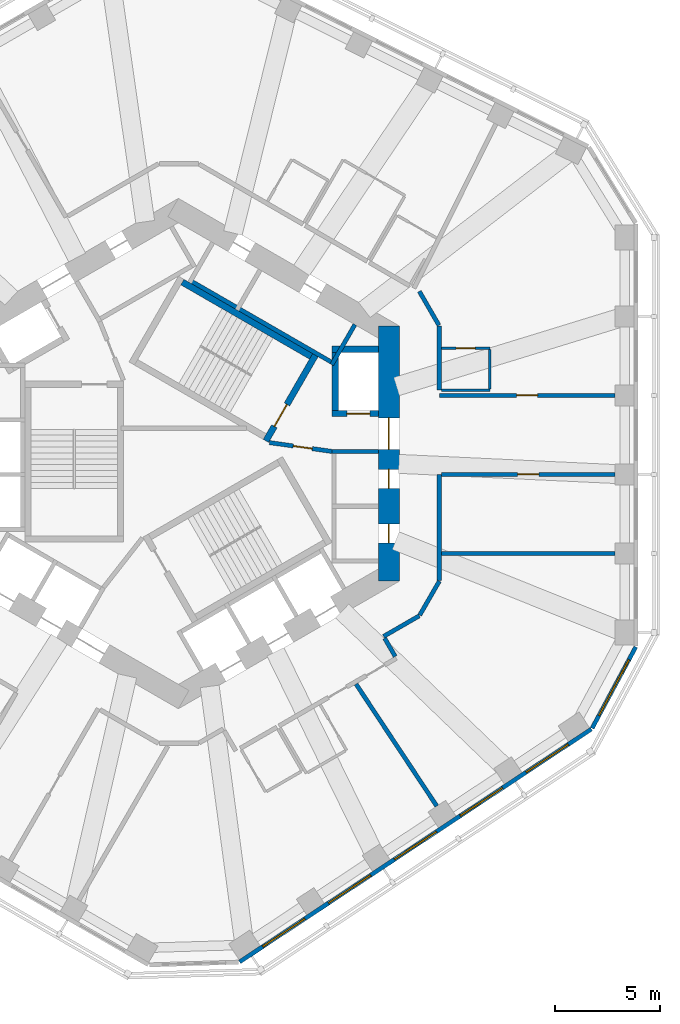
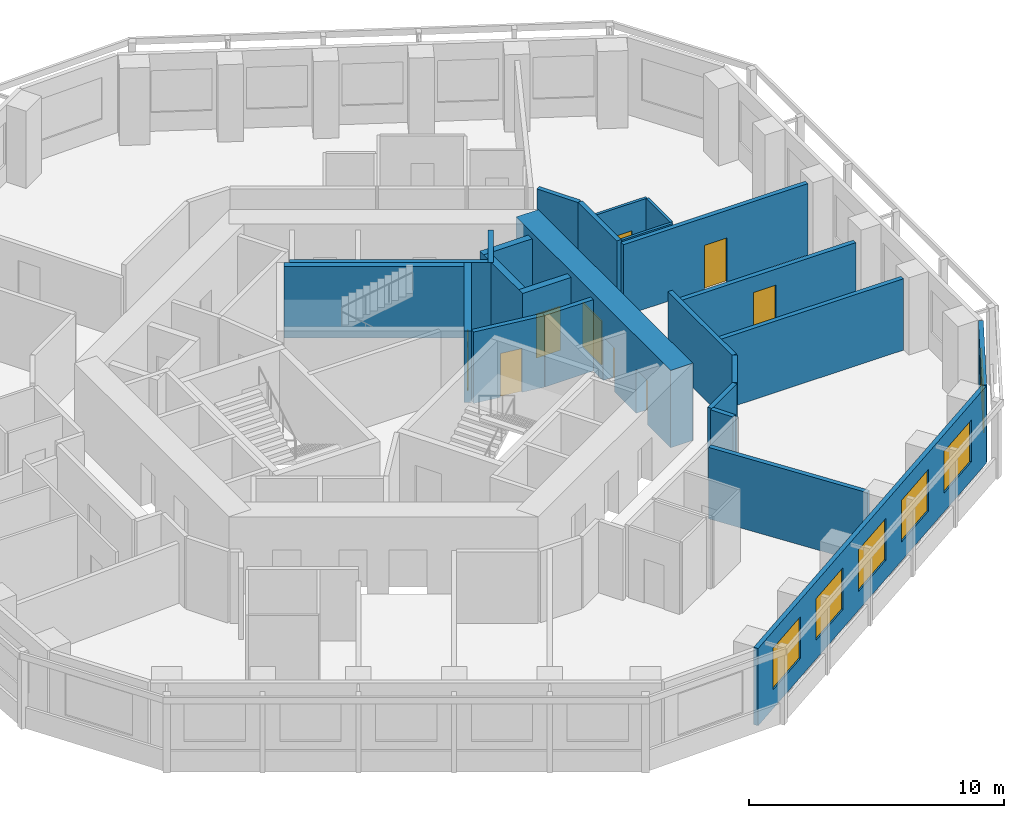
# One storey, part 6 of 11: 25 walls, 9 doors, 6 windows, 15 openings.
"""IFC4 building model written with IfcOpenShell, lengths in metres."""

from ifc_helpers import new_model, si_unit, direction, frame, frame_2d, origin, place, context, subcontext, project, spatial, rectangle, extrude, material, layer, layer_set, type_object, element, fill, save


model = new_model("IFC4")

# Units and contexts
model_context = context("Model", 3, precision=1e-05, world=origin(), true_north=direction((0.0, 1.0)))
body_context = subcontext(model_context, "Body", "Model", "MODEL_VIEW")
ifc_project = project(units=[si_unit("LENGTHUNIT", "METRE"), si_unit("AREAUNIT", "SQUARE_METRE"), si_unit("VOLUMEUNIT", "CUBIC_METRE"), si_unit("PLANEANGLEUNIT", "RADIAN"), si_unit("MASSUNIT", "GRAM", prefix="KILO")], contexts=[model_context])

# Site, building, storey
site_placement = place(None, origin())
site = spatial("IfcSite", under=ifc_project, at=site_placement, CompositionType="ELEMENT")
building_placement = place(site_placement, origin())
building = spatial("IfcBuilding", under=site, at=building_placement, Name="Vanh Sen Convention Tower", CompositionType="ELEMENT")
storey_placement = place(building_placement, frame((0.0, 0.0, 172.5)))
storey = spatial("IfcBuildingStorey", under=building, at=storey_placement, Name="L42", CompositionType="ELEMENT", Elevation=172.5)

# Wall, opening, door
ifc_material_1 = material(Name="Moisture-resistant gypsum board on steel studs", Category="steel")
ifc_layer_1 = layer(ifc_material_1, 0.1201171875)
ifc_layer_set_1 = layer_set([ifc_layer_1], Name="Moisture-resistant gypsum board on steel studs")
wall_type_1 = type_object("IfcWallType", Name="Bathroom partition 120", PredefinedType="PARTITIONING", material=ifc_layer_set_1)
wall_1_placement = place(storey_placement, frame((12.5, 5.01123046875, 0.0), z_axis=(0.0, 0.0, 1.0), x_axis=(1.0, 0.0, 0.0)))
wall_1 = element("IfcWall", 1, at=wall_1_placement, inside=storey, type_object=wall_type_1, Name="Bathroom partition 120", PredefinedType="PARTITIONING", context=body_context, shape_type="SweptSolid", body=[
    extrude(rectangle(XDim=2.300048828125, YDim=0.1201171875, at=frame_2d((1.14990234375, 0.0))), origin(), (0.0, 0.0, 1.0), 3.419921875),
])
opening_1_placement = place(wall_1_placement, frame((0.699951171875, 0.0, 0.0)))
opening_1 = element("IfcOpeningElement", 2, at=opening_1_placement, cuts=wall_1, Name="Opening D41102", PredefinedType="OPENING", context=body_context, shape_type="SweptSolid", body=[
    extrude(rectangle(XDim=0.89990234375, YDim=2.10009765625, at=frame_2d((0.449951171875, 1.050048828125))), frame((0.0, 0.070068359375, 0.0), z_axis=(0.0, -1.0, 0.0), x_axis=(1.0, 0.0, 0.0)), (0.0, 0.0, 1.0), 0.14013671875),
])
ifc_material_2 = material(Name="Laminate door in steel frame", Category="steel")
door_type_1 = type_object("IfcDoorType", Name="Room internal door 900", OperationType="SINGLE_SWING_LEFT", PredefinedType="DOOR", material=ifc_material_2)
door_1_placement = place(opening_1_placement, origin())
door_1 = element("IfcDoor", 3, at=door_1_placement, inside=storey, type_object=door_type_1, Name="Internal room door D41102", OperationType="SINGLE_SWING_LEFT", OverallHeight=2.10009765625, OverallWidth=0.89990234375, PredefinedType="DOOR", context=body_context, shape_type="SweptSolid", body=[
    extrude(rectangle(XDim=0.89990234375, YDim=2.10009765625, at=frame_2d((0.449951171875, 1.050048828125))), frame((0.0, 0.02490234375, 0.0), z_axis=(0.0, -1.0, 0.0), x_axis=(1.0, 0.0, 0.0)), (0.0, 0.0, 1.0), 0.050048828125),
])
fill(opening_1, door_1)

# Walls
wall_2_placement = place(storey_placement, frame((14.800048828125, 3.01123046875, 0.0), z_axis=(0.0, 0.0, 1.0), x_axis=(-1.0, 0.0, 0.0)))
element("IfcWall", 4, at=wall_2_placement, inside=storey, type_object=wall_type_1, Name="Bathroom partition 120", PredefinedType="PARTITIONING", context=body_context, shape_type="SweptSolid", body=[
    extrude(rectangle(XDim=2.300048828125, YDim=0.1201171875, at=frame_2d((1.14990234375, 0.0))), origin(), (0.0, 0.0, 1.0), 3.419921875),
])
wall_3_placement = place(storey_placement, frame((14.800048828125, 4.951416015625, 0.0), z_axis=(0.0, 0.0, 1.0), x_axis=(0.0, -1.0, 0.0)))
element("IfcWall", 5, at=wall_3_placement, inside=storey, type_object=wall_type_1, Name="Bathroom partition 120", PredefinedType="PARTITIONING", context=body_context, shape_type="SweptSolid", body=[
    extrude(rectangle(XDim=1.880126953125, YDim=0.1201171875, at=frame_2d((0.93994140625, 0.0))), origin(), (0.0, 0.0, 1.0), 3.419921875),
])

# Wall, openings, doors
ifc_material_3 = material(Name="Concrete C80/95", Category="concrete")
ifc_layer_2 = layer(ifc_material_3, 1.0)
ifc_layer_set_2 = layer_set([ifc_layer_2], Name="Concrete C80/95")
wall_type_2 = type_object("IfcWallType", Name="Core outer wall 1000 C80/95", PredefinedType="SHEAR", material=ifc_layer_set_2)
wall_4_placement = place(storey_placement, frame((10.0, -6.062255859375, 0.0), z_axis=(0.0, 0.0, 1.0), x_axis=(0.0, 1.0, 0.0)))
wall_4 = element("IfcWall", 6, at=wall_4_placement, inside=storey, type_object=wall_type_2, Name="Core wall face E L42", PredefinedType="SHEAR", context=body_context, shape_type="SweptSolid", body=[
    extrude(rectangle(XDim=12.12451171875, YDim=1.0, at=frame_2d((6.062255859375, 0.0))), origin(), (0.0, 0.0, 1.0), 3.699951171875),
])
opening_2_placement = place(wall_4_placement, frame((6.26220703125, 0.0, 0.0)))
opening_2 = element("IfcOpeningElement", 7, at=opening_2_placement, cuts=wall_4, Name="Opening D41001", PredefinedType="OPENING", context=body_context, shape_type="SweptSolid", body=[
    extrude(rectangle(XDim=1.5, YDim=2.10009765625, at=frame_2d((0.75, 1.050048828125))), frame((0.0, 0.510009765625, 0.0), z_axis=(0.0, -1.0, 0.0), x_axis=(1.0, 0.0, 0.0)), (0.0, 0.0, 1.0), 1.02001953125),
])
opening_3_placement = place(wall_4_placement, frame((1.812255859375, 0.0, 0.0)))
opening_3 = element("IfcOpeningElement", 8, at=opening_3_placement, cuts=wall_4, Name="Opening D41009", PredefinedType="OPENING", context=body_context, shape_type="SweptSolid", body=[
    extrude(rectangle(XDim=0.89990234375, YDim=2.10009765625, at=frame_2d((0.449951171875, 1.050048828125))), frame((0.0, 0.510009765625, 0.0), z_axis=(0.0, -1.0, 0.0), x_axis=(1.0, 0.0, 0.0)), (0.0, 0.0, 1.0), 1.02001953125),
])
opening_4_placement = place(wall_4_placement, frame((4.412109375, 0.0, 0.0)))
opening_4 = element("IfcOpeningElement", 9, at=opening_4_placement, cuts=wall_4, Name="Opening D41010", PredefinedType="OPENING", context=body_context, shape_type="SweptSolid", body=[
    extrude(rectangle(XDim=0.89990234375, YDim=2.10009765625, at=frame_2d((0.449951171875, 1.050048828125))), frame((0.0, 0.510009765625, 0.0), z_axis=(0.0, -1.0, 0.0), x_axis=(1.0, 0.0, 0.0)), (0.0, 0.0, 1.0), 1.02001953125),
])
ifc_material_4 = material(Name="Steel S355", Category="steel")
door_type_2 = type_object("IfcDoorType", Name="Plant door 900", OperationType="SINGLE_SWING_LEFT", PredefinedType="DOOR", material=ifc_material_4)
door_2_placement = place(opening_3_placement, origin())
door_2 = element("IfcDoor", 10, at=door_2_placement, inside=storey, type_object=door_type_2, Name="Plant door D41009", OperationType="SINGLE_SWING_LEFT", OverallHeight=2.10009765625, OverallWidth=0.89990234375, PredefinedType="DOOR", context=body_context, shape_type="SweptSolid", body=[
    extrude(rectangle(XDim=0.89990234375, YDim=2.10009765625, at=frame_2d((0.449951171875, 1.050048828125))), frame((0.0, 0.02490234375, 0.0), z_axis=(0.0, -1.0, 0.0), x_axis=(1.0, 0.0, 0.0)), (0.0, 0.0, 1.0), 0.050048828125),
])
fill(opening_3, door_2)
door_3_placement = place(opening_4_placement, origin())
door_3 = element("IfcDoor", 11, at=door_3_placement, inside=storey, type_object=door_type_2, Name="Plant door D41010", OperationType="SINGLE_SWING_LEFT", OverallHeight=2.10009765625, OverallWidth=0.89990234375, PredefinedType="DOOR", context=body_context, shape_type="SweptSolid", body=[
    extrude(rectangle(XDim=0.89990234375, YDim=2.10009765625, at=frame_2d((0.449951171875, 1.050048828125))), frame((0.0, 0.02490234375, 0.0), z_axis=(0.0, -1.0, 0.0), x_axis=(1.0, 0.0, 0.0)), (0.0, 0.0, 1.0), 0.050048828125),
])
fill(opening_4, door_3)
door_type_3 = type_object("IfcDoorType", Name="Stair lobby door 1500", OperationType="DOUBLE_DOOR_SINGLE_SWING", PredefinedType="DOOR", material=ifc_material_4)
door_4_placement = place(opening_2_placement, origin())
door_4 = element("IfcDoor", 12, at=door_4_placement, inside=storey, type_object=door_type_3, Name="Stair lobby door D41001", OperationType="DOUBLE_DOOR_SINGLE_SWING", OverallHeight=2.10009765625, OverallWidth=1.5, PredefinedType="DOOR", context=body_context, shape_type="SweptSolid", body=[
    extrude(rectangle(XDim=1.5, YDim=2.10009765625, at=frame_2d((0.75, 1.050048828125))), frame((0.0, 0.02490234375, 0.0), z_axis=(0.0, -1.0, 0.0), x_axis=(1.0, 0.0, 0.0)), (0.0, 0.0, 1.0), 0.050048828125),
])
fill(opening_2, door_4)

# Walls
ifc_material_5 = material(Name="Gypsum board on steel studs with mineral wool", Category="steel")
ifc_layer_3 = layer(ifc_material_5, 0.199951171875)
ifc_layer_set_3 = layer_set([ifc_layer_3], Name="Gypsum board on steel studs with mineral wool")
wall_type_3 = type_object("IfcWallType", Name="Corridor partition wall 200", PredefinedType="PARTITIONING", material=ifc_layer_set_3)
wall_5_placement = place(storey_placement, frame((9.751708984375, -8.688232421875, 0.0), z_axis=(0.0, 0.0, 1.0), x_axis=(0.865974105138, 0.500088841337, 0.0)))
element("IfcWall", 13, at=wall_5_placement, inside=storey, type_object=wall_type_3, Name="Corridor partition wall 200", PredefinedType="PARTITIONING", context=body_context, shape_type="SweptSolid", body=[
    extrude(rectangle(XDim=1.961181640625, YDim=0.199951171875, at=frame_2d((0.98046875, 0.0))), origin(), (0.0, 0.0, 1.0), 3.419921875),
])
wall_6_placement = place(storey_placement, frame((10.302001953125, -9.6416015625, 0.0), z_axis=(0.0, 0.0, 1.0), x_axis=(-0.500074377092, 0.865982457891, 0.0)))
element("IfcWall", 14, at=wall_6_placement, inside=storey, type_object=wall_type_3, Name="Corridor partition wall 200", PredefinedType="PARTITIONING", context=body_context, shape_type="SweptSolid", body=[
    extrude(rectangle(XDim=1.000732421875, YDim=0.199951171875, at=frame_2d((0.50048828125, 0.0))), origin(), (0.0, 0.0, 1.0), 3.419921875),
])
for number, where, z_axis, x_axis, name in (
    (15, (11.469970703125, -7.673095703125, 0.0), (0.0, 0.0, 1.0), (0.499964847546, 0.866045698112, 0.0), "Corridor partition wall 200"),
    (16, (12.3798828125, 6.0966796875, 0.0), (0.0, 0.0, 1.0), (-0.499964847546, 0.866045698112, 0.0), "Corridor partition wall 200"),
):
    element("IfcWall", number, at=place(storey_placement, frame(where, z_axis=z_axis, x_axis=x_axis)), inside=storey, type_object=wall_type_3, Name=name, PredefinedType="PARTITIONING", context=body_context, shape_type="SweptSolid", body=[
        extrude(rectangle(XDim=1.860107421875, YDim=0.199951171875, at=frame_2d((0.93017578125, 0.0))), origin(), (0.0, 0.0, 1.0), 3.419921875),
    ])
wall_7_placement = place(storey_placement, frame((12.39990234375, -6.022216796875, 0.0), z_axis=(0.0, 0.0, 1.0), x_axis=(0.0, 1.0, 0.0)))
element("IfcWall", 17, at=wall_7_placement, inside=storey, type_object=wall_type_3, Name="Corridor partition wall 200", PredefinedType="PARTITIONING", context=body_context, shape_type="SweptSolid", body=[
    extrude(rectangle(XDim=5.029296875, YDim=0.199951171875, at=frame_2d((2.5146484375, 0.0))), origin(), (0.0, 0.0, 1.0), 3.419921875),
])
wall_8_placement = place(storey_placement, frame((12.39990234375, 3.01123046875, 0.0), z_axis=(0.0, 0.0, 1.0), x_axis=(0.0, 1.0, 0.0)))
element("IfcWall", 18, at=wall_8_placement, inside=storey, type_object=wall_type_3, Name="Corridor partition wall 200", PredefinedType="PARTITIONING", context=body_context, shape_type="SweptSolid", body=[
    extrude(rectangle(XDim=3.051025390625, YDim=0.199951171875, at=frame_2d((1.525390625, 0.0))), origin(), (0.0, 0.0, 1.0), 3.419921875),
])

# Wall, opening, door
wall_9_placement = place(storey_placement, frame((12.5, -0.992919921875, 0.0), z_axis=(0.0, 0.0, 1.0), x_axis=(1.0, 0.0, 0.0)))
wall_9 = element("IfcWall", 19, at=wall_9_placement, inside=storey, type_object=wall_type_3, Name="Corridor partition wall 200", PredefinedType="PARTITIONING", context=body_context, shape_type="SweptSolid", body=[
    extrude(rectangle(XDim=8.25, YDim=0.199951171875, at=frame_2d((4.125, 0.0))), origin(), (0.0, 0.0, 1.0), 2.8701171875),
])
opening_5_placement = place(wall_9_placement, frame((3.625, 0.0, 0.0)))
opening_5 = element("IfcOpeningElement", 20, at=opening_5_placement, cuts=wall_9, Name="Opening D41120", PredefinedType="OPENING", context=body_context, shape_type="SweptSolid", body=[
    extrude(rectangle(XDim=1.0, YDim=2.10009765625, at=frame_2d((0.5, 1.050048828125))), frame((0.0, 0.10986328125, 0.0), z_axis=(0.0, -1.0, 0.0), x_axis=(1.0, 0.0, 0.0)), (0.0, 0.0, 1.0), 0.219970703125),
])
ifc_material_6 = material(Name="Glazed fire door in steel frame", Category="steel")
door_type_4 = type_object("IfcDoorType", Name="Tenant entrance door 1000", OperationType="SINGLE_SWING_LEFT", PredefinedType="DOOR", material=ifc_material_6)
door_5_placement = place(opening_5_placement, origin())
door_5 = element("IfcDoor", 21, at=door_5_placement, inside=storey, type_object=door_type_4, Name="Tenant suite entrance door D41120", OperationType="SINGLE_SWING_LEFT", OverallHeight=2.10009765625, OverallWidth=1.0, PredefinedType="DOOR", context=body_context, shape_type="SweptSolid", body=[
    extrude(rectangle(XDim=1.0, YDim=2.10009765625, at=frame_2d((0.5, 1.050048828125))), frame((0.0, 0.02490234375, 0.0), z_axis=(0.0, -1.0, 0.0), x_axis=(1.0, 0.0, 0.0)), (0.0, 0.0, 1.0), 0.050048828125),
])
fill(opening_5, door_5)

wall_10_placement = place(storey_placement, frame((20.75, 2.76123046875, 0.0), z_axis=(0.0, 0.0, 1.0), x_axis=(-1.0, 0.0, 0.0)))
wall_10 = element("IfcWall", 22, at=wall_10_placement, inside=storey, type_object=wall_type_3, Name="Corridor partition wall 200", PredefinedType="PARTITIONING", context=body_context, shape_type="SweptSolid", body=[
    extrude(rectangle(XDim=8.35009765625, YDim=0.199951171875, at=frame_2d((4.175048828125, 0.0))), origin(), (0.0, 0.0, 1.0), 3.419921875),
])
opening_6_placement = place(wall_10_placement, frame((3.675048828125, 0.0, 0.0)))
opening_6 = element("IfcOpeningElement", 23, at=opening_6_placement, cuts=wall_10, Name="Opening D41101", PredefinedType="OPENING", context=body_context, shape_type="SweptSolid", body=[
    extrude(rectangle(XDim=1.0, YDim=2.10009765625, at=frame_2d((0.5, 1.050048828125))), frame((0.0, 0.10986328125, 0.0), z_axis=(0.0, -1.0, 0.0), x_axis=(1.0, 0.0, 0.0)), (0.0, 0.0, 1.0), 0.219970703125),
])
door_6_placement = place(opening_6_placement, origin())
door_6 = element("IfcDoor", 24, at=door_6_placement, inside=storey, type_object=door_type_4, Name="Tenant suite entrance door D41101", OperationType="SINGLE_SWING_LEFT", OverallHeight=2.10009765625, OverallWidth=1.0, PredefinedType="DOOR", context=body_context, shape_type="SweptSolid", body=[
    extrude(rectangle(XDim=1.0, YDim=2.10009765625, at=frame_2d((0.5, 1.050048828125))), frame((0.0, 0.02490234375, 0.0), z_axis=(0.0, -1.0, 0.0), x_axis=(1.0, 0.0, 0.0)), (0.0, 0.0, 1.0), 0.050048828125),
])
fill(opening_6, door_6)

# Wall, openings, windows
ifc_material_7 = material(Name="Insulated lightweight infill wall")
ifc_layer_4 = layer(ifc_material_7, 0.199951171875)
ifc_layer_set_4 = layer_set([ifc_layer_4], Name="Insulated lightweight infill wall")
wall_type_4 = type_object("IfcWallType", Name="External wall 200", PredefinedType="STANDARD", material=ifc_layer_set_4)
wall_11_placement = place(storey_placement, frame((2.910888671875, -24.156005859375, 0.0), z_axis=(0.0, 0.0, 1.0), x_axis=(0.833882163564, 0.551942512668, 0.0)))
wall_11 = element("IfcWall", 25, at=wall_11_placement, inside=storey, type_object=wall_type_4, Name="External wall SE L42", PredefinedType="STANDARD", context=body_context, shape_type="SweptSolid", body=[
    extrude(rectangle(XDim=20.043701171875, YDim=0.199951171875, at=frame_2d((10.02197265625, 0.0))), origin(), (0.0, 0.0, 1.0), 3.699951171875),
])
opening_7_placement = place(wall_11_placement, frame((1.312744140625, 0.0, 0.89990234375)))
opening_7 = element("IfcOpeningElement", 26, at=opening_7_placement, cuts=wall_11, Name="Opening WO1-SE1", PredefinedType="OPENING", context=body_context, shape_type="SweptSolid", body=[
    extrude(rectangle(XDim=2.39990234375, YDim=2.0, at=frame_2d((1.199951171875, 1.0))), frame((0.0, 0.10986328125, 0.0), z_axis=(0.0, -1.0, 0.0), x_axis=(1.0, 0.0, 0.0)), (0.0, 0.0, 1.0), 0.219970703125),
])
opening_8_placement = place(wall_11_placement, frame((5.06689453125, 0.0, 0.89990234375)))
opening_8 = element("IfcOpeningElement", 27, at=opening_8_placement, cuts=wall_11, Name="Opening WO1-SE2", PredefinedType="OPENING", context=body_context, shape_type="SweptSolid", body=[
    extrude(rectangle(XDim=2.39990234375, YDim=2.0, at=frame_2d((1.199951171875, 1.0))), frame((0.0, 0.10986328125, 0.0), z_axis=(0.0, -1.0, 0.0), x_axis=(1.0, 0.0, 0.0)), (0.0, 0.0, 1.0), 0.219970703125),
])
opening_9_placement = place(wall_11_placement, frame((8.82080078125, 0.0, 0.89990234375)))
opening_9 = element("IfcOpeningElement", 28, at=opening_9_placement, cuts=wall_11, Name="Opening WO1-SE3", PredefinedType="OPENING", context=body_context, shape_type="SweptSolid", body=[
    extrude(rectangle(XDim=2.39990234375, YDim=2.0, at=frame_2d((1.199951171875, 1.0))), frame((0.0, 0.10986328125, 0.0), z_axis=(0.0, -1.0, 0.0), x_axis=(1.0, 0.0, 0.0)), (0.0, 0.0, 1.0), 0.219970703125),
])
opening_10_placement = place(wall_11_placement, frame((12.5751953125, 0.0, 0.89990234375)))
opening_10 = element("IfcOpeningElement", 29, at=opening_10_placement, cuts=wall_11, Name="Opening WO1-SE4", PredefinedType="OPENING", context=body_context, shape_type="SweptSolid", body=[
    extrude(rectangle(XDim=2.39990234375, YDim=2.0, at=frame_2d((1.199951171875, 1.0))), frame((0.0, 0.10986328125, 0.0), z_axis=(0.0, -1.0, 0.0), x_axis=(1.0, 0.0, 0.0)), (0.0, 0.0, 1.0), 0.219970703125),
])
opening_11_placement = place(wall_11_placement, frame((16.3291015625, 0.0, 0.89990234375)))
opening_11 = element("IfcOpeningElement", 30, at=opening_11_placement, cuts=wall_11, Name="Opening WO1-SE5", PredefinedType="OPENING", context=body_context, shape_type="SweptSolid", body=[
    extrude(rectangle(XDim=2.39990234375, YDim=2.0, at=frame_2d((1.199951171875, 1.0))), frame((0.0, 0.10986328125, 0.0), z_axis=(0.0, -1.0, 0.0), x_axis=(1.0, 0.0, 0.0)), (0.0, 0.0, 1.0), 0.219970703125),
])
ifc_material_8 = material(Name="Aluminium frame with clear low-emissivity glass", Category="aluminium")
window_type_1 = type_object("IfcWindowType", Name="Office window 2400 x 2000", PartitioningType="SINGLE_PANEL", PredefinedType="WINDOW", material=ifc_material_8)
window_1_placement = place(opening_7_placement, origin())
window_1 = element("IfcWindow", 31, at=window_1_placement, inside=storey, type_object=window_type_1, Name="Window WO1-SE1", OverallHeight=2.0, OverallWidth=2.39990234375, PartitioningType="SINGLE_PANEL", PredefinedType="WINDOW", context=body_context, shape_type="SweptSolid", body=[
    extrude(rectangle(XDim=2.39990234375, YDim=2.0, at=frame_2d((1.199951171875, 1.0))), frame((0.0, 0.030029296875, 0.0), z_axis=(0.0, -1.0, 0.0), x_axis=(1.0, 0.0, 0.0)), (0.0, 0.0, 1.0), 0.06005859375),
])
fill(opening_7, window_1)
window_2_placement = place(opening_8_placement, origin())
window_2 = element("IfcWindow", 32, at=window_2_placement, inside=storey, type_object=window_type_1, Name="Window WO1-SE2", OverallHeight=2.0, OverallWidth=2.39990234375, PartitioningType="SINGLE_PANEL", PredefinedType="WINDOW", context=body_context, shape_type="SweptSolid", body=[
    extrude(rectangle(XDim=2.39990234375, YDim=2.0, at=frame_2d((1.199951171875, 1.0))), frame((0.0, 0.030029296875, 0.0), z_axis=(0.0, -1.0, 0.0), x_axis=(1.0, 0.0, 0.0)), (0.0, 0.0, 1.0), 0.06005859375),
])
fill(opening_8, window_2)
window_3_placement = place(opening_9_placement, origin())
window_3 = element("IfcWindow", 33, at=window_3_placement, inside=storey, type_object=window_type_1, Name="Window WO1-SE3", OverallHeight=2.0, OverallWidth=2.39990234375, PartitioningType="SINGLE_PANEL", PredefinedType="WINDOW", context=body_context, shape_type="SweptSolid", body=[
    extrude(rectangle(XDim=2.39990234375, YDim=2.0, at=frame_2d((1.199951171875, 1.0))), frame((0.0, 0.030029296875, 0.0), z_axis=(0.0, -1.0, 0.0), x_axis=(1.0, 0.0, 0.0)), (0.0, 0.0, 1.0), 0.06005859375),
])
fill(opening_9, window_3)
window_4_placement = place(opening_10_placement, origin())
window_4 = element("IfcWindow", 34, at=window_4_placement, inside=storey, type_object=window_type_1, Name="Window WO1-SE4", OverallHeight=2.0, OverallWidth=2.39990234375, PartitioningType="SINGLE_PANEL", PredefinedType="WINDOW", context=body_context, shape_type="SweptSolid", body=[
    extrude(rectangle(XDim=2.39990234375, YDim=2.0, at=frame_2d((1.199951171875, 1.0))), frame((0.0, 0.030029296875, 0.0), z_axis=(0.0, -1.0, 0.0), x_axis=(1.0, 0.0, 0.0)), (0.0, 0.0, 1.0), 0.06005859375),
])
fill(opening_10, window_4)
window_5_placement = place(opening_11_placement, origin())
window_5 = element("IfcWindow", 35, at=window_5_placement, inside=storey, type_object=window_type_1, Name="Window WO1-SE5", OverallHeight=2.0, OverallWidth=2.39990234375, PartitioningType="SINGLE_PANEL", PredefinedType="WINDOW", context=body_context, shape_type="SweptSolid", body=[
    extrude(rectangle(XDim=2.39990234375, YDim=2.0, at=frame_2d((1.199951171875, 1.0))), frame((0.0, 0.030029296875, 0.0), z_axis=(0.0, -1.0, 0.0), x_axis=(1.0, 0.0, 0.0)), (0.0, 0.0, 1.0), 0.06005859375),
])
fill(opening_11, window_5)

# Wall, opening, window
wall_12_placement = place(storey_placement, frame((19.657958984375, -13.05712890625, 0.0), z_axis=(0.0, 0.0, 1.0), x_axis=(0.473307879841, 0.880897071672, 0.0)))
wall_12 = element("IfcWall", 36, at=wall_12_placement, inside=storey, type_object=wall_type_4, Name="External wall CH6 L42", PredefinedType="STANDARD", context=body_context, shape_type="SweptSolid", body=[
    extrude(rectangle(XDim=4.394775390625, YDim=0.199951171875, at=frame_2d((2.197265625, 0.0))), origin(), (0.0, 0.0, 1.0), 3.699951171875),
])
opening_12_placement = place(wall_12_placement, frame((0.697509765625, 0.0, 0.89990234375)))
opening_12 = element("IfcOpeningElement", 37, at=opening_12_placement, cuts=wall_12, Name="Opening WO2-CH61", PredefinedType="OPENING", context=body_context, shape_type="SweptSolid", body=[
    extrude(rectangle(XDim=3.0, YDim=2.0, at=frame_2d((1.5, 1.0))), frame((0.0, 0.10986328125, 0.0), z_axis=(0.0, -1.0, 0.0), x_axis=(1.0, 0.0, 0.0)), (0.0, 0.0, 1.0), 0.219970703125),
])
window_type_2 = type_object("IfcWindowType", Name="Office window 3000 x 2000", PartitioningType="SINGLE_PANEL", PredefinedType="WINDOW", material=ifc_material_8)
window_6_placement = place(opening_12_placement, origin())
window_6 = element("IfcWindow", 38, at=window_6_placement, inside=storey, type_object=window_type_2, Name="Window WO2-CH61", OverallHeight=2.0, OverallWidth=3.0, PartitioningType="SINGLE_PANEL", PredefinedType="WINDOW", context=body_context, shape_type="SweptSolid", body=[
    extrude(rectangle(XDim=3.0, YDim=2.0, at=frame_2d((1.5, 1.0))), frame((0.0, 0.030029296875, 0.0), z_axis=(0.0, -1.0, 0.0), x_axis=(1.0, 0.0, 0.0)), (0.0, 0.0, 1.0), 0.06005859375),
])
fill(opening_12, window_6)

# Wall, opening, door
ifc_material_9 = material(Name="Concrete C60/75", Category="concrete")
ifc_layer_5 = layer(ifc_material_9, 0.300048828125)
ifc_layer_set_5 = layer_set([ifc_layer_5], Name="Concrete C60/75")
wall_type_5 = type_object("IfcWallType", Name="Fire-fighting lift shaft wall 300", PredefinedType="SHEAR", material=ifc_layer_set_5)
wall_13_placement = place(storey_placement, frame((7.300048828125, 1.89990234375, 0.0), z_axis=(0.0, 0.0, 1.0), x_axis=(1.0, 0.0, 0.0)))
wall_13 = element("IfcWall", 39, at=wall_13_placement, inside=storey, type_object=wall_type_5, Name="Fire-fighting lift shaft wall L42", PredefinedType="SHEAR", context=body_context, shape_type="SweptSolid", body=[
    extrude(rectangle(XDim=2.199951171875, YDim=0.300048828125, at=frame_2d((1.10009765625, 0.0))), origin(), (0.0, 0.0, 1.0), 3.419921875),
])
opening_13_placement = place(wall_13_placement, frame((0.699951171875, 0.0, 0.0)))
opening_13 = element("IfcOpeningElement", 40, at=opening_13_placement, cuts=wall_13, Name="Opening LD-FF1", PredefinedType="OPENING", context=body_context, shape_type="SweptSolid", body=[
    extrude(rectangle(XDim=1.10009765625, YDim=2.10009765625, at=frame_2d((0.550048828125, 1.050048828125))), frame((0.0, 0.159912109375, 0.0), z_axis=(0.0, -1.0, 0.0), x_axis=(1.0, 0.0, 0.0)), (0.0, 0.0, 1.0), 0.320068359375),
])
ifc_material_10 = material(Name="Stainless steel", Category="steel")
door_type_5 = type_object("IfcDoorType", Name="Fire-fighting lift landing door 1100", OperationType="DOUBLE_DOOR_SLIDING", PredefinedType="DOOR", material=ifc_material_10)
door_7_placement = place(opening_13_placement, origin())
door_7 = element("IfcDoor", 41, at=door_7_placement, inside=storey, type_object=door_type_5, Name="Lift FF1 landing door LD-FF1", OperationType="DOUBLE_DOOR_SLIDING", OverallHeight=2.10009765625, OverallWidth=1.10009765625, PredefinedType="DOOR", context=body_context, shape_type="SweptSolid", body=[
    extrude(rectangle(XDim=1.10009765625, YDim=2.10009765625, at=frame_2d((0.550048828125, 1.050048828125))), frame((0.0, 0.02490234375, 0.0), z_axis=(0.0, -1.0, 0.0), x_axis=(1.0, 0.0, 0.0)), (0.0, 0.0, 1.0), 0.050048828125),
])
fill(opening_13, door_7)

# Walls
wall_14_placement = place(storey_placement, frame((7.449951171875, 1.75, 0.0), z_axis=(0.0, 0.0, 1.0), x_axis=(0.0, 1.0, 0.0)))
element("IfcWall", 42, at=wall_14_placement, inside=storey, type_object=wall_type_5, Name="Fire-fighting lift shaft wall L42", PredefinedType="SHEAR", context=body_context, shape_type="SweptSolid", body=[
    extrude(rectangle(XDim=3.35009765625, YDim=0.300048828125, at=frame_2d((1.675048828125, 0.0))), origin(), (0.0, 0.0, 1.0), 3.419921875),
])
wall_15_placement = place(storey_placement, frame((7.300048828125, 4.949951171875, 0.0), z_axis=(0.0, 0.0, 1.0), x_axis=(1.0, 0.0, 0.0)))
element("IfcWall", 43, at=wall_15_placement, inside=storey, type_object=wall_type_5, Name="Fire-fighting lift shaft wall L42", PredefinedType="SHEAR", context=body_context, shape_type="SweptSolid", body=[
    extrude(rectangle(XDim=2.199951171875, YDim=0.300048828125, at=frame_2d((1.10009765625, 0.0))), origin(), (0.0, 0.0, 1.0), 3.419921875),
])
ifc_material_11 = material(Name="Concrete C40/50", Category="concrete")
ifc_layer_6 = layer(ifc_material_11, 0.199951171875)
ifc_layer_set_6 = layer_set([ifc_layer_6], Name="Concrete C40/50")
wall_type_6 = type_object("IfcWallType", Name="Lift shaft wall 200", PredefinedType="PARTITIONING", material=ifc_layer_set_6)
wall_16_placement = place(storey_placement, frame((7.300048828125, 0.10009765625, 0.0), z_axis=(0.0, 0.0, 1.0), x_axis=(1.0, 0.0, 0.0)))
element("IfcWall", 44, at=wall_16_placement, inside=storey, type_object=wall_type_6, Name="Lift shaft wall L42", PredefinedType="PARTITIONING", context=body_context, shape_type="SweptSolid", body=[
    extrude(rectangle(XDim=2.199951171875, YDim=0.199951171875, at=frame_2d((1.10009765625, 0.0))), origin(), (0.0, 0.0, 1.0), 3.419921875),
])
wall_17_placement = place(storey_placement, frame((7.423828125, 4.258544921875, 0.0), z_axis=(0.0, 0.0, 1.0), x_axis=(-0.866026010844, 0.49999894854, 0.0)))
element("IfcWall", 45, at=wall_17_placement, inside=storey, type_object=wall_type_6, Name="Lift shaft wall L42", PredefinedType="PARTITIONING", context=body_context, shape_type="SweptSolid", body=[
    extrude(rectangle(XDim=8.0, YDim=0.199951171875, at=frame_2d((4.0, 0.0))), origin(), (0.0, 0.0, 1.0), 3.419921875),
])
wall_18_placement = place(storey_placement, frame((7.287353515625, 4.221923828125, 0.0), z_axis=(0.0, 0.0, 1.0), x_axis=(0.499946605688, 0.86605622881, 0.0)))
element("IfcWall", 46, at=wall_18_placement, inside=storey, type_object=wall_type_6, Name="Lift shaft wall L42", PredefinedType="PARTITIONING", context=body_context, shape_type="SweptSolid", body=[
    extrude(rectangle(XDim=2.199951171875, YDim=0.199951171875, at=frame_2d((1.10009765625, 0.0))), origin(), (0.0, 0.0, 1.0), 3.419921875),
])

# Wall, opening, door
ifc_layer_7 = layer(ifc_material_11, 0.199951171875)
ifc_layer_set_7 = layer_set([ifc_layer_7], Name="Concrete C40/50")
wall_type_7 = type_object("IfcWallType", Name="Stair lobby wall 200", PredefinedType="PARTITIONING", material=ifc_layer_set_7)
wall_19_placement = place(storey_placement, frame((4.327392578125, 0.52099609375, 0.0), z_axis=(0.0, 0.0, 1.0), x_axis=(0.990124376366, -0.14019172346, 0.0)))
wall_19 = element("IfcWall", 47, at=wall_19_placement, inside=storey, type_object=wall_type_7, Name="Stair lobby wall L42", PredefinedType="PARTITIONING", context=body_context, shape_type="SweptSolid", body=[
    extrude(rectangle(XDim=3.002197265625, YDim=0.199951171875, at=frame_2d((1.5009765625, 0.0))), origin(), (0.0, 0.0, 1.0), 3.419921875),
])
opening_14_placement = place(wall_19_placement, frame((1.14990234375, 0.0, 0.0)))
opening_14 = element("IfcOpeningElement", 48, at=opening_14_placement, cuts=wall_19, Name="Opening D41007", PredefinedType="OPENING", context=body_context, shape_type="SweptSolid", body=[
    extrude(rectangle(XDim=0.89990234375, YDim=2.10009765625, at=frame_2d((0.449951171875, 1.050048828125))), frame((0.0, 0.10986328125, 0.0), z_axis=(0.0, -1.0, 0.0), x_axis=(1.0, 0.0, 0.0)), (0.0, 0.0, 1.0), 0.219970703125),
])
door_8_placement = place(opening_14_placement, origin())
door_8 = element("IfcDoor", 49, at=door_8_placement, inside=storey, type_object=door_type_2, Name="Plant door D41007", OperationType="SINGLE_SWING_LEFT", OverallHeight=2.10009765625, OverallWidth=0.89990234375, PredefinedType="DOOR", context=body_context, shape_type="SweptSolid", body=[
    extrude(rectangle(XDim=0.89990234375, YDim=2.10009765625, at=frame_2d((0.449951171875, 1.050048828125))), frame((0.0, 0.02490234375, 0.0), z_axis=(0.0, -1.0, 0.0), x_axis=(1.0, 0.0, 0.0)), (0.0, 0.0, 1.0), 0.050048828125),
])
fill(opening_14, door_8)

ifc_layer_8 = layer(ifc_material_9, 0.300048828125)
ifc_layer_set_8 = layer_set([ifc_layer_8], Name="Concrete C60/75")
wall_type_8 = type_object("IfcWallType", Name="Stair wall 300", PredefinedType="SHEAR", material=ifc_layer_set_8)
wall_20_placement = place(storey_placement, frame((4.157958984375, 0.601806640625, 0.0), z_axis=(0.0, 0.0, 1.0), x_axis=(0.499977259774, 0.866038532462, 0.0)))
wall_20 = element("IfcWall", 50, at=wall_20_placement, inside=storey, type_object=wall_type_8, Name="Stair wall L42", PredefinedType="SHEAR", context=body_context, shape_type="SweptSolid", body=[
    extrude(rectangle(XDim=4.699951171875, YDim=0.300048828125, at=frame_2d((2.35009765625, 0.0))), origin(), (0.0, 0.0, 1.0), 3.419921875),
])
opening_15_placement = place(wall_20_placement, frame((0.800048828125, 0.0, 0.0)))
opening_15 = element("IfcOpeningElement", 51, at=opening_15_placement, cuts=wall_20, Name="Opening D41004", PredefinedType="OPENING", context=body_context, shape_type="SweptSolid", body=[
    extrude(rectangle(XDim=1.199951171875, YDim=2.10009765625, at=frame_2d((0.60009765625, 1.050048828125))), frame((0.0, 0.159912109375, 0.0), z_axis=(0.0, -1.0, 0.0), x_axis=(1.0, 0.0, 0.0)), (0.0, 0.0, 1.0), 0.320068359375),
])
door_type_6 = type_object("IfcDoorType", Name="Stair door 1200", OperationType="SINGLE_SWING_RIGHT", PredefinedType="DOOR", material=ifc_material_4)
door_9_placement = place(opening_15_placement, origin())
door_9 = element("IfcDoor", 52, at=door_9_placement, inside=storey, type_object=door_type_6, Name="Stair ST1 door D41004", OperationType="SINGLE_SWING_RIGHT", OverallHeight=2.10009765625, OverallWidth=1.199951171875, PredefinedType="DOOR", context=body_context, shape_type="SweptSolid", body=[
    extrude(rectangle(XDim=1.199951171875, YDim=2.10009765625, at=frame_2d((0.60009765625, 1.050048828125))), frame((0.0, 0.02490234375, 0.0), z_axis=(0.0, -1.0, 0.0), x_axis=(1.0, 0.0, 0.0)), (0.0, 0.0, 1.0), 0.050048828125),
])
fill(opening_15, door_9)

# Walls
wall_21_placement = place(storey_placement, frame((6.302978515625, 4.6171875, 0.0), z_axis=(0.0, 0.0, 1.0), x_axis=(-0.866027801685, 0.499995846692, 0.0)))
element("IfcWall", 53, at=wall_21_placement, inside=storey, type_object=wall_type_8, Name="Stair wall L42", PredefinedType="SHEAR", context=body_context, shape_type="SweptSolid", body=[
    extrude(rectangle(XDim=7.06005859375, YDim=0.300048828125, at=frame_2d((3.530029296875, 0.0))), origin(), (0.0, 0.0, 1.0), 3.419921875),
])
ifc_layer_9 = layer(ifc_material_5, 0.199951171875)
ifc_layer_set_9 = layer_set([ifc_layer_9], Name="Gypsum board on steel studs with mineral wool")
wall_type_9 = type_object("IfcWallType", Name="Tenant suite wall 200", PredefinedType="PARTITIONING", material=ifc_layer_set_9)
wall_22_placement = place(storey_placement, frame((12.280517578125, -16.755126953125, 0.0), z_axis=(0.0, 0.0, 1.0), x_axis=(-0.551925794663, 0.833893228888, 0.0)))
element("IfcWall", 54, at=wall_22_placement, inside=storey, type_object=wall_type_9, Name="Tenant suite wall 200", PredefinedType="PARTITIONING", context=body_context, shape_type="SweptSolid", body=[
    extrude(rectangle(XDim=6.95263671875, YDim=0.199951171875, at=frame_2d((3.476318359375, 0.0))), origin(), (0.0, 0.0, 1.0), 3.419921875),
])
wall_23_placement = place(storey_placement, frame((20.75, -4.746826171875, 0.0), z_axis=(0.0, 0.0, 1.0), x_axis=(-1.0, 0.0, 0.0)))
element("IfcWall", 55, at=wall_23_placement, inside=storey, type_object=wall_type_9, Name="Tenant suite wall 200", PredefinedType="PARTITIONING", context=body_context, shape_type="SweptSolid", body=[
    extrude(rectangle(XDim=8.25, YDim=0.199951171875, at=frame_2d((4.125, 0.0))), origin(), (0.0, 0.0, 1.0), 3.419921875),
])

save(model, "model.ifc")
